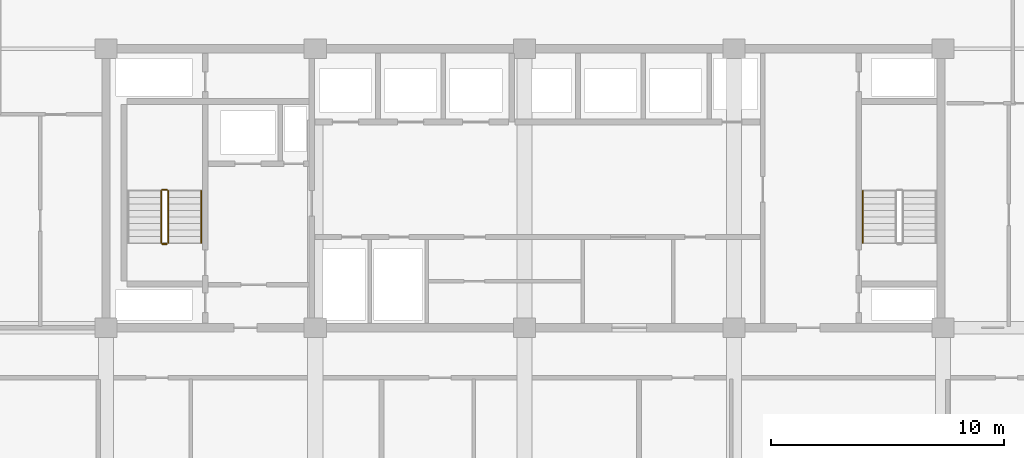
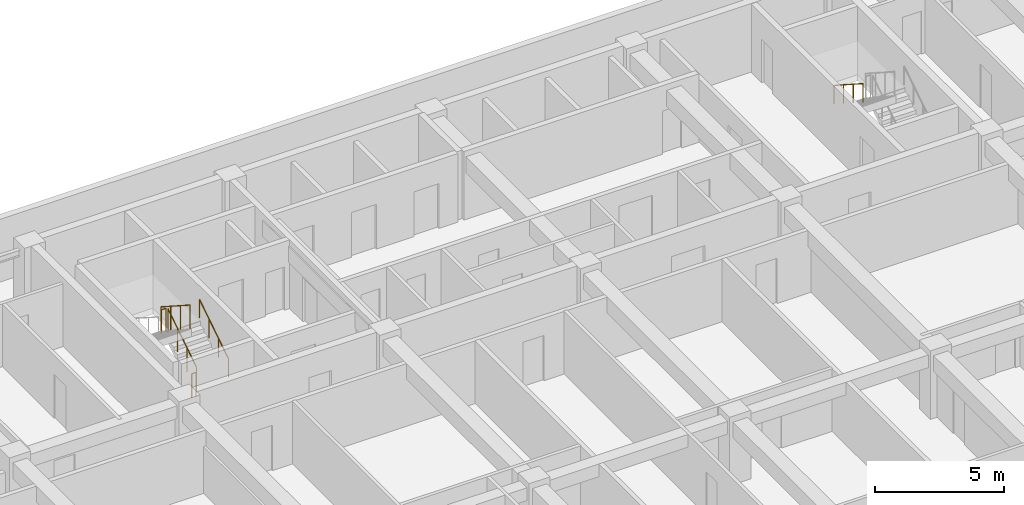
# One storey, part 20 of 23: 6 railings.
"""IFC4 building model written with IfcOpenShell, lengths in metres."""

from ifc_helpers import new_model, si_unit, direction, frame, origin, origin_2d, place, context, subcontext, project, spatial, circle, extrude, material, type_object, element, save


model = new_model("IFC4")

# Units and contexts
model_context = context("Model", 3, precision=1e-05, world=origin(), true_north=direction((0.0, 1.0)))
body_context = subcontext(model_context, "Body", "Model", "MODEL_VIEW")
ifc_project = project(units=[si_unit("LENGTHUNIT", "METRE"), si_unit("AREAUNIT", "SQUARE_METRE"), si_unit("VOLUMEUNIT", "CUBIC_METRE"), si_unit("PLANEANGLEUNIT", "RADIAN"), si_unit("MASSUNIT", "GRAM", prefix="KILO")], contexts=[model_context])

# Site, building, storey
site_placement = place(None, origin())
site = spatial("IfcSite", under=ifc_project, at=site_placement, CompositionType="ELEMENT")
building_placement = place(site_placement, origin())
building = spatial("IfcBuilding", under=site, at=building_placement, Name="Korimba Cascade Residences", CompositionType="ELEMENT")
storey_placement = place(building_placement, frame((0.0, 0.0, 30.5)))
storey = spatial("IfcBuildingStorey", under=building, at=storey_placement, Name="L07", CompositionType="ELEMENT", Elevation=30.5)

# Railings
ifc_material_1 = material(Name="Painted Steel Stairwell Guardrail", Category="steel")
railing_type_1 = type_object("IfcRailingType", Name="RLG-ST-GD1150", PredefinedType="GUARDRAIL", material=ifc_material_1)
railing_1_placement = place(storey_placement, frame((84.77001953125, 22.050048828125, 0.1806640625)))
element("IfcRailing", 1, at=railing_1_placement, inside=storey, type_object=railing_type_1, Name="L07 ST-E1 stair guard 1", PredefinedType="GUARDRAIL", context=body_context, shape_type="SweptSolid", body=[
    extrude(circle(Radius=0.02392578125, at=origin_2d()), frame((0.0, 0.0, 1.1259765625), z_axis=(0.0, 0.840436612492, 0.541909863706), x_axis=(-1.0, 0.0, 0.0)), (0.0, 0.0, 1.0), 2.665283203125),
    extrude(circle(Radius=0.02099609375, at=origin_2d()), origin(), (0.0, 0.0, 1.0), 1.101806640625),
    extrude(circle(Radius=0.02099609375, at=origin_2d()), frame((0.0, 0.74658203125, 0.4814453125)), (0.0, 0.0, 1.0), 1.101806640625),
    extrude(circle(Radius=0.02099609375, at=origin_2d()), frame((0.0, 1.493408203125, 0.962890625)), (0.0, 0.0, 1.0), 1.101806640625),
    extrude(circle(Radius=0.02099609375, at=origin_2d()), frame((0.0, 2.239990234375, 1.4443359375)), (0.0, 0.0, 1.0), 1.101806640625),
])
railing_2_placement = place(storey_placement, frame((84.719970703125, 24.340087890625, 1.625)))
element("IfcRailing", 2, at=railing_2_placement, inside=storey, type_object=railing_type_1, Name="L07 ST-E1 stair guard 2", PredefinedType="GUARDRAIL", context=body_context, shape_type="SweptSolid", body=[
    extrude(circle(Radius=0.02392578125, at=origin_2d()), frame((0.0, 0.0, 1.1259765625), z_axis=(-1.0, 0.0, 0.0), x_axis=(0.0, -1.0, 0.0)), (0.0, 0.0, 1.0), 0.199951171875),
    extrude(circle(Radius=0.02099609375, at=origin_2d()), origin(), (0.0, 0.0, 1.0), 1.101806640625),
    extrude(circle(Radius=0.02099609375, at=origin_2d()), frame((-0.199951171875, 0.0, 0.0)), (0.0, 0.0, 1.0), 1.101806640625),
])
railing_3_placement = place(storey_placement, frame((84.469970703125, 24.2900390625, 1.8056640625)))
element("IfcRailing", 3, at=railing_3_placement, inside=storey, type_object=railing_type_1, Name="L07 ST-E1 stair guard 3", PredefinedType="GUARDRAIL", context=body_context, shape_type="SweptSolid", body=[
    extrude(circle(Radius=0.02392578125, at=origin_2d()), frame((0.0, 0.0, 1.1259765625), z_axis=(0.0, -0.840436612492, 0.541909863706), x_axis=(1.0, 0.0, 0.0)), (0.0, 0.0, 1.0), 2.665283203125),
    extrude(circle(Radius=0.02099609375, at=origin_2d()), origin(), (0.0, 0.0, 1.0), 1.101806640625),
    extrude(circle(Radius=0.02099609375, at=origin_2d()), frame((0.0, -0.74658203125, 0.4814453125)), (0.0, 0.0, 1.0), 1.101806640625),
    extrude(circle(Radius=0.02099609375, at=origin_2d()), frame((0.0, -1.493408203125, 0.962890625)), (0.0, 0.0, 1.0), 1.101806640625),
    extrude(circle(Radius=0.02099609375, at=origin_2d()), frame((0.0, -2.239990234375, 1.4443359375)), (0.0, 0.0, 1.0), 1.101806640625),
])
railing_4_placement = place(storey_placement, frame((84.719970703125, 22.0, 0.0)))
element("IfcRailing", 4, at=railing_4_placement, inside=storey, type_object=railing_type_1, Name="L07 ST-E1 stair guard 4", PredefinedType="GUARDRAIL", context=body_context, shape_type="SweptSolid", body=[
    extrude(circle(Radius=0.02392578125, at=origin_2d()), frame((0.0, 0.0, 1.1259765625), z_axis=(-1.0, 0.0, 0.0), x_axis=(0.0, -1.0, 0.0)), (0.0, 0.0, 1.0), 0.199951171875),
    extrude(circle(Radius=0.02099609375, at=origin_2d()), origin(), (0.0, 0.0, 1.0), 1.101806640625),
    extrude(circle(Radius=0.02099609375, at=origin_2d()), frame((-0.199951171875, 0.0, 0.0)), (0.0, 0.0, 1.0), 1.101806640625),
])
ifc_material_2 = material(Name="Brushed Stainless Steel Handrail", Category="steel")
railing_type_2 = type_object("IfcRailingType", Name="RLG-ST-HR900", PredefinedType="HANDRAIL", material=ifc_material_2)
railing_5_placement = place(storey_placement, frame((86.18994140625, 22.050048828125, 0.364990234375)))
element("IfcRailing", 5, at=railing_5_placement, inside=storey, type_object=railing_type_2, Name="L07 ST-E1 stair handrail 1", PredefinedType="HANDRAIL", context=body_context, shape_type="SweptSolid", body=[
    extrude(circle(Radius=0.02392578125, at=origin_2d()), frame((0.0, 0.0, 0.8759765625), z_axis=(0.0, 0.840436612492, 0.541909863706), x_axis=(-1.0, 0.0, 0.0)), (0.0, 0.0, 1.0), 2.665283203125),
    extrude(circle(Radius=0.02099609375, at=origin_2d()), origin(), (0.0, 0.0, 1.0), 0.851806640625),
    extrude(circle(Radius=0.02099609375, at=origin_2d()), frame((0.0, 0.74658203125, 0.4814453125)), (0.0, 0.0, 1.0), 0.851806640625),
    extrude(circle(Radius=0.02099609375, at=origin_2d()), frame((0.0, 1.493408203125, 0.962890625)), (0.0, 0.0, 1.0), 0.851806640625),
    extrude(circle(Radius=0.02099609375, at=origin_2d()), frame((0.0, 2.239990234375, 1.4443359375)), (0.0, 0.0, 1.0), 0.851806640625),
])
railing_6_placement = place(storey_placement, frame((114.64990234375, 24.2900390625, 1.989990234375)))
element("IfcRailing", 6, at=railing_6_placement, inside=storey, type_object=railing_type_2, Name="L07 ST-E2 stair handrail 2", PredefinedType="HANDRAIL", context=body_context, shape_type="SweptSolid", body=[
    extrude(circle(Radius=0.02392578125, at=origin_2d()), frame((0.0, 0.0, 0.8759765625), z_axis=(0.0, -0.840436612492, 0.541909863706), x_axis=(1.0, 0.0, 0.0)), (0.0, 0.0, 1.0), 2.665283203125),
    extrude(circle(Radius=0.02099609375, at=origin_2d()), origin(), (0.0, 0.0, 1.0), 0.851806640625),
    extrude(circle(Radius=0.02099609375, at=origin_2d()), frame((0.0, -0.74658203125, 0.4814453125)), (0.0, 0.0, 1.0), 0.851806640625),
    extrude(circle(Radius=0.02099609375, at=origin_2d()), frame((0.0, -1.493408203125, 0.962890625)), (0.0, 0.0, 1.0), 0.851806640625),
    extrude(circle(Radius=0.02099609375, at=origin_2d()), frame((0.0, -2.239990234375, 1.4443359375)), (0.0, 0.0, 1.0), 0.851806640625),
])

save(model, "model.ifc")
